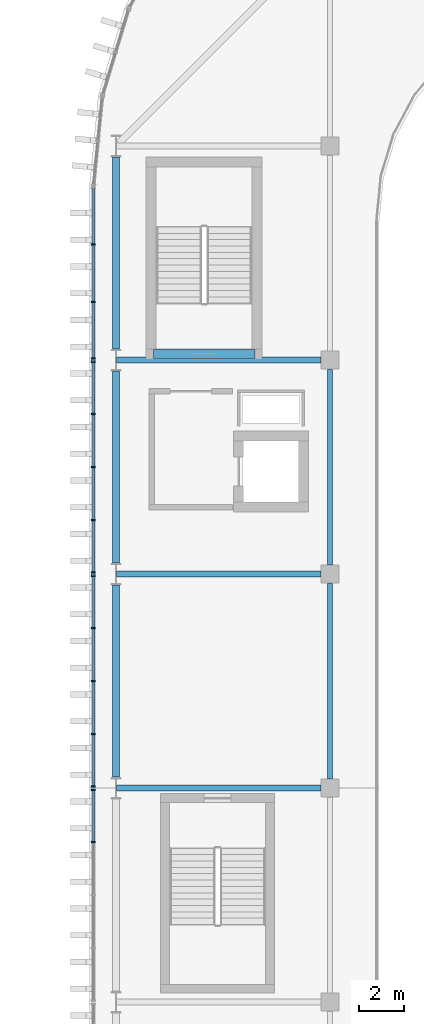
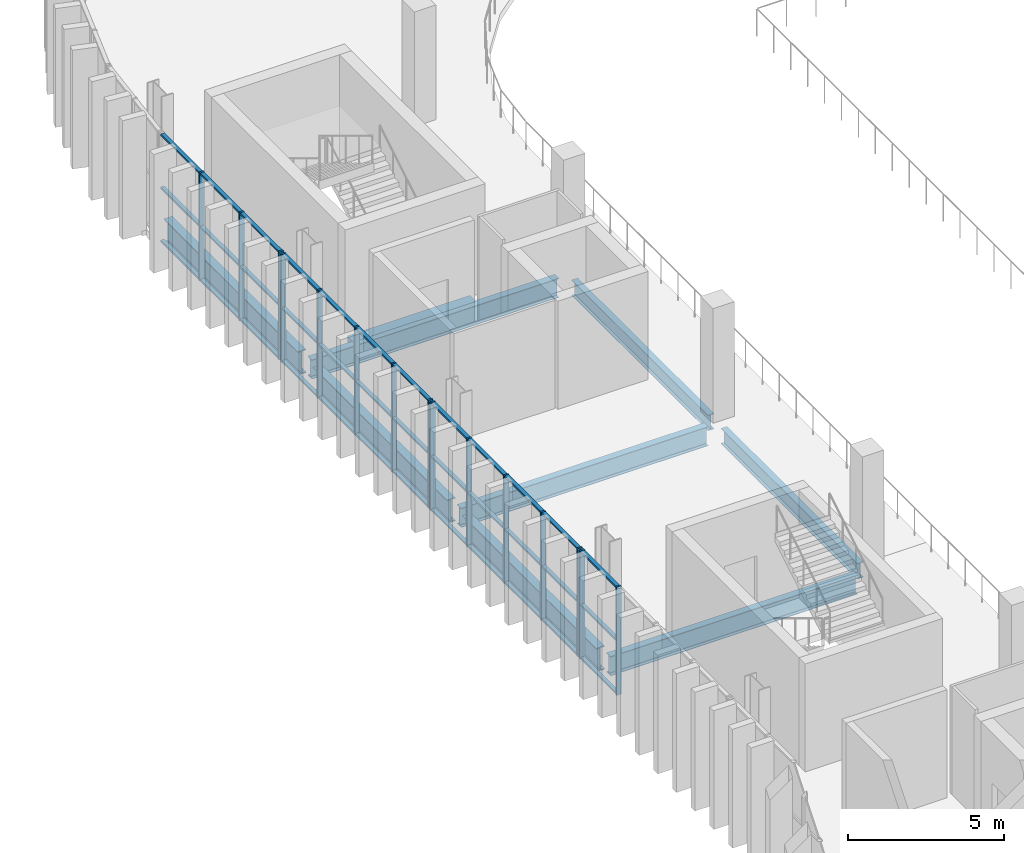
# One storey, part 11 of 75: 51 members, 9 beams, 4 elements without a shape of their own.
"""IFC4 building model written with IfcOpenShell, lengths in metres."""

from ifc_helpers import new_model, si_unit, direction, frame, origin, origin_2d, place, context, subcontext, project, spatial, rectangle, i_section, extrude, material, layer, layer_set, material_profile, profile_set, type_object, element, aggregate, save


model = new_model("IFC4")

# Units and contexts
model_context = context("Model", 3, precision=1e-05, world=origin(), true_north=direction((0.0, 1.0)))
body_context = subcontext(model_context, "Body", "Model", "MODEL_VIEW")
ifc_project = project(units=[si_unit("LENGTHUNIT", "METRE"), si_unit("AREAUNIT", "SQUARE_METRE"), si_unit("VOLUMEUNIT", "CUBIC_METRE"), si_unit("PLANEANGLEUNIT", "RADIAN"), si_unit("MASSUNIT", "GRAM", prefix="KILO")], contexts=[model_context])

# Site, building, storey
site_placement = place(None, origin())
site = spatial("IfcSite", under=ifc_project, at=site_placement, CompositionType="ELEMENT")
building_placement = place(site_placement, origin())
building = spatial("IfcBuilding", under=site, at=building_placement, Name="Caelomonte Colonnade Arena", CompositionType="ELEMENT")
storey_placement = place(building_placement, frame((0.0, 0.0, 14.10009765625)))
storey = spatial("IfcBuildingStorey", under=building, at=storey_placement, Name="L03", CompositionType="ELEMENT", Elevation=14.10009765625)

# Curtain wall, members
ifc_material_1 = material(Name="Bronze anodised aluminium and low-E glazing", Category="aluminium")
ifc_layer_1 = layer(ifc_material_1, 0.179931640625)
ifc_layer_set_1 = layer_set([ifc_layer_1], Name="Bronze anodised aluminium and low-E glazing")
curtain_wall_type_1 = type_object("IfcCurtainWallType", Name="ENV-CW-CW-L03-79-42", PredefinedType="USERDEFINED", material=ifc_layer_set_1)
curtain_wall_1_placement = place(storey_placement, origin())
curtain_wall_1 = element("IfcCurtainWall", 1, at=curtain_wall_1_placement, inside=storey, type_object=curtain_wall_type_1, Name="L03 unitized curtain wall CW-L03-0566-0904", ObjectType="UNITIZED CURTAIN WALL", PredefinedType="USERDEFINED")
ifc_material_2 = material(Name="Bronze anodised aluminium AA6063-T6", Category="aluminium")
ifc_material_profile_1 = material_profile(ifc_material_2, rectangle(XDim=0.070068359375, YDim=0.179931640625, at=origin_2d()), Name="CWM-70X180")
ifc_profile_set_1 = profile_set([ifc_material_profile_1], Name="Bronze anodised aluminium AA6063-T6")
member_type_1 = type_object("IfcMemberType", Name="ENV-CW-MULL1", PredefinedType="MULLION", material=ifc_profile_set_1)
member_1_placement = place(storey_placement, frame((56.580078125, 91.586669921875, 0.0), z_axis=(0.0, 0.0, 1.0), x_axis=(0.0, -1.0, 0.0)))
member_1 = element("IfcMember", 2, at=member_1_placement, type_object=member_type_1, Name="CW-L03-79-42 mullion 2", PredefinedType="MULLION", context=body_context, shape_type="SweptSolid", body=[
    extrude(rectangle(XDim=0.070068359375, YDim=0.179931640625, at=origin_2d()), origin(), (0.0, 0.0, 1.0), 4.239990234375),
])
member_2_placement = place(storey_placement, frame((56.580078125, 89.013427734375, 0.0), z_axis=(0.0, 0.0, 1.0), x_axis=(0.0, -1.0, 0.0)))
member_2 = element("IfcMember", 3, at=member_2_placement, type_object=member_type_1, Name="CW-L03-79-42 mullion 3", PredefinedType="MULLION", context=body_context, shape_type="SweptSolid", body=[
    extrude(rectangle(XDim=0.070068359375, YDim=0.179931640625, at=origin_2d()), origin(), (0.0, 0.0, 1.0), 4.239990234375),
])
member_3_placement = place(storey_placement, frame((56.580078125, 86.47509765625, 0.0), z_axis=(0.0, 0.0, 1.0), x_axis=(0.0, -1.0, 0.0)))
member_3 = element("IfcMember", 4, at=member_3_placement, type_object=member_type_1, Name="CW-L03-79-42 mullion 4", PredefinedType="MULLION", context=body_context, shape_type="SweptSolid", body=[
    extrude(rectangle(XDim=0.070068359375, YDim=0.179931640625, at=origin_2d()), origin(), (0.0, 0.0, 1.0), 4.239990234375),
])

ifc_layer_2 = layer(ifc_material_1, 0.179931640625)
ifc_layer_set_2 = layer_set([ifc_layer_2], Name="Bronze anodised aluminium and low-E glazing")
curtain_wall_type_2 = type_object("IfcCurtainWallType", Name="ENV-CW-CW-L03-96-42", PredefinedType="USERDEFINED", material=ifc_layer_set_2)
curtain_wall_2_placement = place(storey_placement, origin())
curtain_wall_2 = element("IfcCurtainWall", 5, at=curtain_wall_2_placement, inside=storey, type_object=curtain_wall_type_2, Name="L03 unitized curtain wall CW-L03-0566-0816", ObjectType="UNITIZED CURTAIN WALL", PredefinedType="USERDEFINED")
member_4_placement = place(storey_placement, frame((56.580078125, 86.324951171875, 0.0), z_axis=(0.0, 0.0, 1.0), x_axis=(0.0, -1.0, 0.0)))
member_4 = element("IfcMember", 6, at=member_4_placement, type_object=member_type_1, Name="CW-L03-96-42 mullion 1", PredefinedType="MULLION", context=body_context, shape_type="SweptSolid", body=[
    extrude(rectangle(XDim=0.070068359375, YDim=0.179931640625, at=origin_2d()), origin(), (0.0, 0.0, 1.0), 4.239990234375),
])
member_5_placement = place(storey_placement, frame((56.580078125, 83.97998046875, 0.0), z_axis=(0.0, 0.0, 1.0), x_axis=(0.0, -1.0, 0.0)))
member_5 = element("IfcMember", 7, at=member_5_placement, type_object=member_type_1, Name="CW-L03-96-42 mullion 2", PredefinedType="MULLION", context=body_context, shape_type="SweptSolid", body=[
    extrude(rectangle(XDim=0.070068359375, YDim=0.179931640625, at=origin_2d()), origin(), (0.0, 0.0, 1.0), 4.239990234375),
])
member_6_placement = place(storey_placement, frame((56.580078125, 81.60009765625, 0.0), z_axis=(0.0, 0.0, 1.0), x_axis=(0.0, -1.0, 0.0)))
member_6 = element("IfcMember", 8, at=member_6_placement, type_object=member_type_1, Name="CW-L03-96-42 mullion 3", PredefinedType="MULLION", context=body_context, shape_type="SweptSolid", body=[
    extrude(rectangle(XDim=0.070068359375, YDim=0.179931640625, at=origin_2d()), origin(), (0.0, 0.0, 1.0), 4.239990234375),
])
member_7_placement = place(storey_placement, frame((56.580078125, 79.219970703125, 0.0), z_axis=(0.0, 0.0, 1.0), x_axis=(0.0, -1.0, 0.0)))
member_7 = element("IfcMember", 9, at=member_7_placement, type_object=member_type_1, Name="CW-L03-96-42 mullion 4", PredefinedType="MULLION", context=body_context, shape_type="SweptSolid", body=[
    extrude(rectangle(XDim=0.070068359375, YDim=0.179931640625, at=origin_2d()), origin(), (0.0, 0.0, 1.0), 4.239990234375),
])
member_8_placement = place(storey_placement, frame((56.580078125, 76.875, 0.0), z_axis=(0.0, 0.0, 1.0), x_axis=(0.0, -1.0, 0.0)))
member_8 = element("IfcMember", 10, at=member_8_placement, type_object=member_type_1, Name="CW-L03-96-42 mullion 5", PredefinedType="MULLION", context=body_context, shape_type="SweptSolid", body=[
    extrude(rectangle(XDim=0.070068359375, YDim=0.179931640625, at=origin_2d()), origin(), (0.0, 0.0, 1.0), 4.239990234375),
])

curtain_wall_3_placement = place(storey_placement, origin())
curtain_wall_3 = element("IfcCurtainWall", 11, at=curtain_wall_3_placement, inside=storey, type_object=curtain_wall_type_2, Name="L03 unitized curtain wall CW-L03-0566-0720", ObjectType="UNITIZED CURTAIN WALL", PredefinedType="USERDEFINED")
member_9_placement = place(storey_placement, frame((56.580078125, 76.72509765625, 0.0), z_axis=(0.0, 0.0, 1.0), x_axis=(0.0, -1.0, 0.0)))
member_9 = element("IfcMember", 12, at=member_9_placement, type_object=member_type_1, Name="CW-L03-96-42 mullion 1", PredefinedType="MULLION", context=body_context, shape_type="SweptSolid", body=[
    extrude(rectangle(XDim=0.070068359375, YDim=0.179931640625, at=origin_2d()), origin(), (0.0, 0.0, 1.0), 4.239990234375),
])
member_10_placement = place(storey_placement, frame((56.580078125, 74.3798828125, 0.0), z_axis=(0.0, 0.0, 1.0), x_axis=(0.0, -1.0, 0.0)))
member_10 = element("IfcMember", 13, at=member_10_placement, type_object=member_type_1, Name="CW-L03-96-42 mullion 2", PredefinedType="MULLION", context=body_context, shape_type="SweptSolid", body=[
    extrude(rectangle(XDim=0.070068359375, YDim=0.179931640625, at=origin_2d()), origin(), (0.0, 0.0, 1.0), 4.239990234375),
])
member_11_placement = place(storey_placement, frame((56.580078125, 72.0, 0.0), z_axis=(0.0, 0.0, 1.0), x_axis=(0.0, -1.0, 0.0)))
member_11 = element("IfcMember", 14, at=member_11_placement, type_object=member_type_1, Name="CW-L03-96-42 mullion 3", PredefinedType="MULLION", context=body_context, shape_type="SweptSolid", body=[
    extrude(rectangle(XDim=0.070068359375, YDim=0.179931640625, at=origin_2d()), origin(), (0.0, 0.0, 1.0), 4.239990234375),
])
member_12_placement = place(storey_placement, frame((56.580078125, 69.6201171875, 0.0), z_axis=(0.0, 0.0, 1.0), x_axis=(0.0, -1.0, 0.0)))
member_12 = element("IfcMember", 15, at=member_12_placement, type_object=member_type_1, Name="CW-L03-96-42 mullion 4", PredefinedType="MULLION", context=body_context, shape_type="SweptSolid", body=[
    extrude(rectangle(XDim=0.070068359375, YDim=0.179931640625, at=origin_2d()), origin(), (0.0, 0.0, 1.0), 4.239990234375),
])
member_13_placement = place(storey_placement, frame((56.580078125, 67.27490234375, 0.0), z_axis=(0.0, 0.0, 1.0), x_axis=(0.0, -1.0, 0.0)))
member_13 = element("IfcMember", 16, at=member_13_placement, type_object=member_type_1, Name="CW-L03-96-42 mullion 5", PredefinedType="MULLION", context=body_context, shape_type="SweptSolid", body=[
    extrude(rectangle(XDim=0.070068359375, YDim=0.179931640625, at=origin_2d()), origin(), (0.0, 0.0, 1.0), 4.239990234375),
])

curtain_wall_4_placement = place(storey_placement, origin())
curtain_wall_4 = element("IfcCurtainWall", 17, at=curtain_wall_4_placement, inside=storey, type_object=curtain_wall_type_2, Name="L03 unitized curtain wall CW-L03-0566-0624", ObjectType="UNITIZED CURTAIN WALL", PredefinedType="USERDEFINED")
member_14_placement = place(storey_placement, frame((56.580078125, 67.125, 0.0), z_axis=(0.0, 0.0, 1.0), x_axis=(0.0, -1.0, 0.0)))
member_14 = element("IfcMember", 18, at=member_14_placement, type_object=member_type_1, Name="CW-L03-96-42 mullion 1", PredefinedType="MULLION", context=body_context, shape_type="SweptSolid", body=[
    extrude(rectangle(XDim=0.070068359375, YDim=0.179931640625, at=origin_2d()), origin(), (0.0, 0.0, 1.0), 4.239990234375),
])
member_15_placement = place(storey_placement, frame((56.580078125, 64.780029296875, 0.0), z_axis=(0.0, 0.0, 1.0), x_axis=(0.0, -1.0, 0.0)))
member_15 = element("IfcMember", 19, at=member_15_placement, type_object=member_type_1, Name="CW-L03-96-42 mullion 2", PredefinedType="MULLION", context=body_context, shape_type="SweptSolid", body=[
    extrude(rectangle(XDim=0.070068359375, YDim=0.179931640625, at=origin_2d()), origin(), (0.0, 0.0, 1.0), 4.239990234375),
])

# Member
ifc_material_profile_2 = material_profile(ifc_material_2, rectangle(XDim=0.070068359375, YDim=0.139892578125, at=origin_2d()), Name="CWT-70X140")
ifc_profile_set_2 = profile_set([ifc_material_profile_2], Name="Bronze anodised aluminium AA6063-T6")
member_type_2 = type_object("IfcMemberType", Name="ENV-CW-TRAN1", PredefinedType="USERDEFINED", material=ifc_profile_set_2)
member_16_placement = place(storey_placement, frame((56.580078125, 94.090087890625, 0.034912109375), z_axis=(0.0, -1.0, 0.0), x_axis=(0.0, 0.0, 1.0)))
member_16 = element("IfcMember", 20, at=member_16_placement, type_object=member_type_2, Name="CW-L03-79-42 transom 1.1", ObjectType="TRANSOM", PredefinedType="USERDEFINED", context=body_context, shape_type="SweptSolid", body=[
    extrude(rectangle(XDim=0.070068359375, YDim=0.139892578125, at=origin_2d()), origin(), (0.0, 0.0, 1.0), 2.468505859375),
])

member_17_placement = place(storey_placement, frame((56.580078125, 94.090087890625, 2.119873046875), z_axis=(0.0, -1.0, 0.0), x_axis=(0.0, 0.0, 1.0)))
member_17 = element("IfcMember", 21, at=member_17_placement, type_object=member_type_2, Name="CW-L03-79-42 transom 1.2", ObjectType="TRANSOM", PredefinedType="USERDEFINED", context=body_context, shape_type="SweptSolid", body=[
    extrude(rectangle(XDim=0.070068359375, YDim=0.139892578125, at=origin_2d()), origin(), (0.0, 0.0, 1.0), 2.468505859375),
])

member_18_placement = place(storey_placement, frame((56.580078125, 94.090087890625, 4.204833984375), z_axis=(0.0, -1.0, 0.0), x_axis=(0.0, 0.0, 1.0)))
member_18 = element("IfcMember", 22, at=member_18_placement, type_object=member_type_2, Name="CW-L03-79-42 transom 1.3", ObjectType="TRANSOM", PredefinedType="USERDEFINED", context=body_context, shape_type="SweptSolid", body=[
    extrude(rectangle(XDim=0.070068359375, YDim=0.139892578125, at=origin_2d()), origin(), (0.0, 0.0, 1.0), 2.468505859375),
])

member_19_placement = place(storey_placement, frame((56.580078125, 91.5517578125, 0.034912109375), z_axis=(0.0, -1.0, 0.0), x_axis=(0.0, 0.0, 1.0)))
member_19 = element("IfcMember", 23, at=member_19_placement, type_object=member_type_2, Name="CW-L03-79-42 transom 2.1", ObjectType="TRANSOM", PredefinedType="USERDEFINED", context=body_context, shape_type="SweptSolid", body=[
    extrude(rectangle(XDim=0.070068359375, YDim=0.139892578125, at=origin_2d()), origin(), (0.0, 0.0, 1.0), 2.50341796875),
])

member_20_placement = place(storey_placement, frame((56.580078125, 91.5517578125, 2.119873046875), z_axis=(0.0, -1.0, 0.0), x_axis=(0.0, 0.0, 1.0)))
member_20 = element("IfcMember", 24, at=member_20_placement, type_object=member_type_2, Name="CW-L03-79-42 transom 2.2", ObjectType="TRANSOM", PredefinedType="USERDEFINED", context=body_context, shape_type="SweptSolid", body=[
    extrude(rectangle(XDim=0.070068359375, YDim=0.139892578125, at=origin_2d()), origin(), (0.0, 0.0, 1.0), 2.50341796875),
])

member_21_placement = place(storey_placement, frame((56.580078125, 91.5517578125, 4.204833984375), z_axis=(0.0, -1.0, 0.0), x_axis=(0.0, 0.0, 1.0)))
member_21 = element("IfcMember", 25, at=member_21_placement, type_object=member_type_2, Name="CW-L03-79-42 transom 2.3", ObjectType="TRANSOM", PredefinedType="USERDEFINED", context=body_context, shape_type="SweptSolid", body=[
    extrude(rectangle(XDim=0.070068359375, YDim=0.139892578125, at=origin_2d()), origin(), (0.0, 0.0, 1.0), 2.50341796875),
])

member_22_placement = place(storey_placement, frame((56.580078125, 88.978271484375, 0.034912109375), z_axis=(0.0, -1.0, 0.0), x_axis=(0.0, 0.0, 1.0)))
member_22 = element("IfcMember", 26, at=member_22_placement, type_object=member_type_2, Name="CW-L03-79-42 transom 3.1", ObjectType="TRANSOM", PredefinedType="USERDEFINED", context=body_context, shape_type="SweptSolid", body=[
    extrude(rectangle(XDim=0.070068359375, YDim=0.139892578125, at=origin_2d()), origin(), (0.0, 0.0, 1.0), 2.46826171875),
])

member_23_placement = place(storey_placement, frame((56.580078125, 88.978271484375, 2.119873046875), z_axis=(0.0, -1.0, 0.0), x_axis=(0.0, 0.0, 1.0)))
member_23 = element("IfcMember", 27, at=member_23_placement, type_object=member_type_2, Name="CW-L03-79-42 transom 3.2", ObjectType="TRANSOM", PredefinedType="USERDEFINED", context=body_context, shape_type="SweptSolid", body=[
    extrude(rectangle(XDim=0.070068359375, YDim=0.139892578125, at=origin_2d()), origin(), (0.0, 0.0, 1.0), 2.46826171875),
])

member_24_placement = place(storey_placement, frame((56.580078125, 88.978271484375, 4.204833984375), z_axis=(0.0, -1.0, 0.0), x_axis=(0.0, 0.0, 1.0)))
member_24 = element("IfcMember", 28, at=member_24_placement, type_object=member_type_2, Name="CW-L03-79-42 transom 3.3", ObjectType="TRANSOM", PredefinedType="USERDEFINED", context=body_context, shape_type="SweptSolid", body=[
    extrude(rectangle(XDim=0.070068359375, YDim=0.139892578125, at=origin_2d()), origin(), (0.0, 0.0, 1.0), 2.46826171875),
])

aggregate(curtain_wall_1, [member_1, member_2, member_3, member_16, member_17, member_18, member_19, member_20, member_21, member_22, member_23, member_24])

member_25_placement = place(storey_placement, frame((56.580078125, 86.2900390625, 0.034912109375), z_axis=(0.0, -1.0, 0.0), x_axis=(0.0, 0.0, 1.0)))
member_25 = element("IfcMember", 29, at=member_25_placement, type_object=member_type_2, Name="CW-L03-96-42 transom 1.1", ObjectType="TRANSOM", PredefinedType="USERDEFINED", context=body_context, shape_type="SweptSolid", body=[
    extrude(rectangle(XDim=0.070068359375, YDim=0.139892578125, at=origin_2d()), origin(), (0.0, 0.0, 1.0), 2.275146484375),
])

member_26_placement = place(storey_placement, frame((56.580078125, 86.2900390625, 2.119873046875), z_axis=(0.0, -1.0, 0.0), x_axis=(0.0, 0.0, 1.0)))
member_26 = element("IfcMember", 30, at=member_26_placement, type_object=member_type_2, Name="CW-L03-96-42 transom 1.2", ObjectType="TRANSOM", PredefinedType="USERDEFINED", context=body_context, shape_type="SweptSolid", body=[
    extrude(rectangle(XDim=0.070068359375, YDim=0.139892578125, at=origin_2d()), origin(), (0.0, 0.0, 1.0), 2.275146484375),
])

member_27_placement = place(storey_placement, frame((56.580078125, 86.2900390625, 4.204833984375), z_axis=(0.0, -1.0, 0.0), x_axis=(0.0, 0.0, 1.0)))
member_27 = element("IfcMember", 31, at=member_27_placement, type_object=member_type_2, Name="CW-L03-96-42 transom 1.3", ObjectType="TRANSOM", PredefinedType="USERDEFINED", context=body_context, shape_type="SweptSolid", body=[
    extrude(rectangle(XDim=0.070068359375, YDim=0.139892578125, at=origin_2d()), origin(), (0.0, 0.0, 1.0), 2.275146484375),
])

member_28_placement = place(storey_placement, frame((56.580078125, 83.945068359375, 0.034912109375), z_axis=(0.0, -1.0, 0.0), x_axis=(0.0, 0.0, 1.0)))
member_28 = element("IfcMember", 32, at=member_28_placement, type_object=member_type_2, Name="CW-L03-96-42 transom 2.1", ObjectType="TRANSOM", PredefinedType="USERDEFINED", context=body_context, shape_type="SweptSolid", body=[
    extrude(rectangle(XDim=0.070068359375, YDim=0.139892578125, at=origin_2d()), origin(), (0.0, 0.0, 1.0), 2.31005859375),
])

member_29_placement = place(storey_placement, frame((56.580078125, 83.945068359375, 2.119873046875), z_axis=(0.0, -1.0, 0.0), x_axis=(0.0, 0.0, 1.0)))
member_29 = element("IfcMember", 33, at=member_29_placement, type_object=member_type_2, Name="CW-L03-96-42 transom 2.2", ObjectType="TRANSOM", PredefinedType="USERDEFINED", context=body_context, shape_type="SweptSolid", body=[
    extrude(rectangle(XDim=0.070068359375, YDim=0.139892578125, at=origin_2d()), origin(), (0.0, 0.0, 1.0), 2.31005859375),
])

member_30_placement = place(storey_placement, frame((56.580078125, 83.945068359375, 4.204833984375), z_axis=(0.0, -1.0, 0.0), x_axis=(0.0, 0.0, 1.0)))
member_30 = element("IfcMember", 34, at=member_30_placement, type_object=member_type_2, Name="CW-L03-96-42 transom 2.3", ObjectType="TRANSOM", PredefinedType="USERDEFINED", context=body_context, shape_type="SweptSolid", body=[
    extrude(rectangle(XDim=0.070068359375, YDim=0.139892578125, at=origin_2d()), origin(), (0.0, 0.0, 1.0), 2.31005859375),
])

member_31_placement = place(storey_placement, frame((56.580078125, 81.56494140625, 0.034912109375), z_axis=(0.0, -1.0, 0.0), x_axis=(0.0, 0.0, 1.0)))
member_31 = element("IfcMember", 35, at=member_31_placement, type_object=member_type_2, Name="CW-L03-96-42 transom 3.1", ObjectType="TRANSOM", PredefinedType="USERDEFINED", context=body_context, shape_type="SweptSolid", body=[
    extrude(rectangle(XDim=0.070068359375, YDim=0.139892578125, at=origin_2d()), origin(), (0.0, 0.0, 1.0), 2.31005859375),
])

member_32_placement = place(storey_placement, frame((56.580078125, 81.56494140625, 2.119873046875), z_axis=(0.0, -1.0, 0.0), x_axis=(0.0, 0.0, 1.0)))
member_32 = element("IfcMember", 36, at=member_32_placement, type_object=member_type_2, Name="CW-L03-96-42 transom 3.2", ObjectType="TRANSOM", PredefinedType="USERDEFINED", context=body_context, shape_type="SweptSolid", body=[
    extrude(rectangle(XDim=0.070068359375, YDim=0.139892578125, at=origin_2d()), origin(), (0.0, 0.0, 1.0), 2.31005859375),
])

member_33_placement = place(storey_placement, frame((56.580078125, 81.56494140625, 4.204833984375), z_axis=(0.0, -1.0, 0.0), x_axis=(0.0, 0.0, 1.0)))
member_33 = element("IfcMember", 37, at=member_33_placement, type_object=member_type_2, Name="CW-L03-96-42 transom 3.3", ObjectType="TRANSOM", PredefinedType="USERDEFINED", context=body_context, shape_type="SweptSolid", body=[
    extrude(rectangle(XDim=0.070068359375, YDim=0.139892578125, at=origin_2d()), origin(), (0.0, 0.0, 1.0), 2.31005859375),
])

member_34_placement = place(storey_placement, frame((56.580078125, 79.18505859375, 0.034912109375), z_axis=(0.0, -1.0, 0.0), x_axis=(0.0, 0.0, 1.0)))
member_34 = element("IfcMember", 38, at=member_34_placement, type_object=member_type_2, Name="CW-L03-96-42 transom 4.1", ObjectType="TRANSOM", PredefinedType="USERDEFINED", context=body_context, shape_type="SweptSolid", body=[
    extrude(rectangle(XDim=0.070068359375, YDim=0.139892578125, at=origin_2d()), origin(), (0.0, 0.0, 1.0), 2.275146484375),
])

member_35_placement = place(storey_placement, frame((56.580078125, 79.18505859375, 2.119873046875), z_axis=(0.0, -1.0, 0.0), x_axis=(0.0, 0.0, 1.0)))
member_35 = element("IfcMember", 39, at=member_35_placement, type_object=member_type_2, Name="CW-L03-96-42 transom 4.2", ObjectType="TRANSOM", PredefinedType="USERDEFINED", context=body_context, shape_type="SweptSolid", body=[
    extrude(rectangle(XDim=0.070068359375, YDim=0.139892578125, at=origin_2d()), origin(), (0.0, 0.0, 1.0), 2.275146484375),
])

member_36_placement = place(storey_placement, frame((56.580078125, 79.18505859375, 4.204833984375), z_axis=(0.0, -1.0, 0.0), x_axis=(0.0, 0.0, 1.0)))
member_36 = element("IfcMember", 40, at=member_36_placement, type_object=member_type_2, Name="CW-L03-96-42 transom 4.3", ObjectType="TRANSOM", PredefinedType="USERDEFINED", context=body_context, shape_type="SweptSolid", body=[
    extrude(rectangle(XDim=0.070068359375, YDim=0.139892578125, at=origin_2d()), origin(), (0.0, 0.0, 1.0), 2.275146484375),
])

aggregate(curtain_wall_2, [member_4, member_5, member_6, member_7, member_8, member_25, member_26, member_27, member_28, member_29, member_30, member_31, member_32, member_33, member_34, member_35, member_36])

member_37_placement = place(storey_placement, frame((56.580078125, 76.68994140625, 0.034912109375), z_axis=(0.0, -1.0, 0.0), x_axis=(0.0, 0.0, 1.0)))
member_37 = element("IfcMember", 41, at=member_37_placement, type_object=member_type_2, Name="CW-L03-96-42 transom 1.1", ObjectType="TRANSOM", PredefinedType="USERDEFINED", context=body_context, shape_type="SweptSolid", body=[
    extrude(rectangle(XDim=0.070068359375, YDim=0.139892578125, at=origin_2d()), origin(), (0.0, 0.0, 1.0), 2.27490234375),
])

member_38_placement = place(storey_placement, frame((56.580078125, 76.68994140625, 2.119873046875), z_axis=(0.0, -1.0, 0.0), x_axis=(0.0, 0.0, 1.0)))
member_38 = element("IfcMember", 42, at=member_38_placement, type_object=member_type_2, Name="CW-L03-96-42 transom 1.2", ObjectType="TRANSOM", PredefinedType="USERDEFINED", context=body_context, shape_type="SweptSolid", body=[
    extrude(rectangle(XDim=0.070068359375, YDim=0.139892578125, at=origin_2d()), origin(), (0.0, 0.0, 1.0), 2.27490234375),
])

member_39_placement = place(storey_placement, frame((56.580078125, 76.68994140625, 4.204833984375), z_axis=(0.0, -1.0, 0.0), x_axis=(0.0, 0.0, 1.0)))
member_39 = element("IfcMember", 43, at=member_39_placement, type_object=member_type_2, Name="CW-L03-96-42 transom 1.3", ObjectType="TRANSOM", PredefinedType="USERDEFINED", context=body_context, shape_type="SweptSolid", body=[
    extrude(rectangle(XDim=0.070068359375, YDim=0.139892578125, at=origin_2d()), origin(), (0.0, 0.0, 1.0), 2.27490234375),
])

member_40_placement = place(storey_placement, frame((56.580078125, 74.344970703125, 0.034912109375), z_axis=(0.0, -1.0, 0.0), x_axis=(0.0, 0.0, 1.0)))
member_40 = element("IfcMember", 44, at=member_40_placement, type_object=member_type_2, Name="CW-L03-96-42 transom 2.1", ObjectType="TRANSOM", PredefinedType="USERDEFINED", context=body_context, shape_type="SweptSolid", body=[
    extrude(rectangle(XDim=0.070068359375, YDim=0.139892578125, at=origin_2d()), origin(), (0.0, 0.0, 1.0), 2.31005859375),
])

member_41_placement = place(storey_placement, frame((56.580078125, 74.344970703125, 2.119873046875), z_axis=(0.0, -1.0, 0.0), x_axis=(0.0, 0.0, 1.0)))
member_41 = element("IfcMember", 45, at=member_41_placement, type_object=member_type_2, Name="CW-L03-96-42 transom 2.2", ObjectType="TRANSOM", PredefinedType="USERDEFINED", context=body_context, shape_type="SweptSolid", body=[
    extrude(rectangle(XDim=0.070068359375, YDim=0.139892578125, at=origin_2d()), origin(), (0.0, 0.0, 1.0), 2.31005859375),
])

member_42_placement = place(storey_placement, frame((56.580078125, 74.344970703125, 4.204833984375), z_axis=(0.0, -1.0, 0.0), x_axis=(0.0, 0.0, 1.0)))
member_42 = element("IfcMember", 46, at=member_42_placement, type_object=member_type_2, Name="CW-L03-96-42 transom 2.3", ObjectType="TRANSOM", PredefinedType="USERDEFINED", context=body_context, shape_type="SweptSolid", body=[
    extrude(rectangle(XDim=0.070068359375, YDim=0.139892578125, at=origin_2d()), origin(), (0.0, 0.0, 1.0), 2.31005859375),
])

member_43_placement = place(storey_placement, frame((56.580078125, 71.965087890625, 0.034912109375), z_axis=(0.0, -1.0, 0.0), x_axis=(0.0, 0.0, 1.0)))
member_43 = element("IfcMember", 47, at=member_43_placement, type_object=member_type_2, Name="CW-L03-96-42 transom 3.1", ObjectType="TRANSOM", PredefinedType="USERDEFINED", context=body_context, shape_type="SweptSolid", body=[
    extrude(rectangle(XDim=0.070068359375, YDim=0.139892578125, at=origin_2d()), origin(), (0.0, 0.0, 1.0), 2.31005859375),
])

member_44_placement = place(storey_placement, frame((56.580078125, 71.965087890625, 2.119873046875), z_axis=(0.0, -1.0, 0.0), x_axis=(0.0, 0.0, 1.0)))
member_44 = element("IfcMember", 48, at=member_44_placement, type_object=member_type_2, Name="CW-L03-96-42 transom 3.2", ObjectType="TRANSOM", PredefinedType="USERDEFINED", context=body_context, shape_type="SweptSolid", body=[
    extrude(rectangle(XDim=0.070068359375, YDim=0.139892578125, at=origin_2d()), origin(), (0.0, 0.0, 1.0), 2.31005859375),
])

member_45_placement = place(storey_placement, frame((56.580078125, 71.965087890625, 4.204833984375), z_axis=(0.0, -1.0, 0.0), x_axis=(0.0, 0.0, 1.0)))
member_45 = element("IfcMember", 49, at=member_45_placement, type_object=member_type_2, Name="CW-L03-96-42 transom 3.3", ObjectType="TRANSOM", PredefinedType="USERDEFINED", context=body_context, shape_type="SweptSolid", body=[
    extrude(rectangle(XDim=0.070068359375, YDim=0.139892578125, at=origin_2d()), origin(), (0.0, 0.0, 1.0), 2.31005859375),
])

member_46_placement = place(storey_placement, frame((56.580078125, 69.5849609375, 0.034912109375), z_axis=(0.0, -1.0, 0.0), x_axis=(0.0, 0.0, 1.0)))
member_46 = element("IfcMember", 50, at=member_46_placement, type_object=member_type_2, Name="CW-L03-96-42 transom 4.1", ObjectType="TRANSOM", PredefinedType="USERDEFINED", context=body_context, shape_type="SweptSolid", body=[
    extrude(rectangle(XDim=0.070068359375, YDim=0.139892578125, at=origin_2d()), origin(), (0.0, 0.0, 1.0), 2.27490234375),
])

member_47_placement = place(storey_placement, frame((56.580078125, 69.5849609375, 2.119873046875), z_axis=(0.0, -1.0, 0.0), x_axis=(0.0, 0.0, 1.0)))
member_47 = element("IfcMember", 51, at=member_47_placement, type_object=member_type_2, Name="CW-L03-96-42 transom 4.2", ObjectType="TRANSOM", PredefinedType="USERDEFINED", context=body_context, shape_type="SweptSolid", body=[
    extrude(rectangle(XDim=0.070068359375, YDim=0.139892578125, at=origin_2d()), origin(), (0.0, 0.0, 1.0), 2.27490234375),
])

member_48_placement = place(storey_placement, frame((56.580078125, 69.5849609375, 4.204833984375), z_axis=(0.0, -1.0, 0.0), x_axis=(0.0, 0.0, 1.0)))
member_48 = element("IfcMember", 52, at=member_48_placement, type_object=member_type_2, Name="CW-L03-96-42 transom 4.3", ObjectType="TRANSOM", PredefinedType="USERDEFINED", context=body_context, shape_type="SweptSolid", body=[
    extrude(rectangle(XDim=0.070068359375, YDim=0.139892578125, at=origin_2d()), origin(), (0.0, 0.0, 1.0), 2.27490234375),
])

aggregate(curtain_wall_3, [member_9, member_10, member_11, member_12, member_13, member_37, member_38, member_39, member_40, member_41, member_42, member_43, member_44, member_45, member_46, member_47, member_48])

member_49_placement = place(storey_placement, frame((56.580078125, 67.090087890625, 0.034912109375), z_axis=(0.0, -1.0, 0.0), x_axis=(0.0, 0.0, 1.0)))
member_49 = element("IfcMember", 53, at=member_49_placement, type_object=member_type_2, Name="CW-L03-96-42 transom 1.1", ObjectType="TRANSOM", PredefinedType="USERDEFINED", context=body_context, shape_type="SweptSolid", body=[
    extrude(rectangle(XDim=0.070068359375, YDim=0.139892578125, at=origin_2d()), origin(), (0.0, 0.0, 1.0), 2.275146484375),
])

member_50_placement = place(storey_placement, frame((56.580078125, 67.090087890625, 2.119873046875), z_axis=(0.0, -1.0, 0.0), x_axis=(0.0, 0.0, 1.0)))
member_50 = element("IfcMember", 54, at=member_50_placement, type_object=member_type_2, Name="CW-L03-96-42 transom 1.2", ObjectType="TRANSOM", PredefinedType="USERDEFINED", context=body_context, shape_type="SweptSolid", body=[
    extrude(rectangle(XDim=0.070068359375, YDim=0.139892578125, at=origin_2d()), origin(), (0.0, 0.0, 1.0), 2.275146484375),
])

member_51_placement = place(storey_placement, frame((56.580078125, 67.090087890625, 4.204833984375), z_axis=(0.0, -1.0, 0.0), x_axis=(0.0, 0.0, 1.0)))
member_51 = element("IfcMember", 55, at=member_51_placement, type_object=member_type_2, Name="CW-L03-96-42 transom 1.3", ObjectType="TRANSOM", PredefinedType="USERDEFINED", context=body_context, shape_type="SweptSolid", body=[
    extrude(rectangle(XDim=0.070068359375, YDim=0.139892578125, at=origin_2d()), origin(), (0.0, 0.0, 1.0), 2.275146484375),
])

aggregate(curtain_wall_4, [member_14, member_15, member_49, member_50, member_51])

# Beams
ifc_material_3 = material(Name="Wide-flange steel ASTM A992 Grade 50", Category="steel")
ifc_material_profile_3 = material_profile(ifc_material_3, i_section(OverallWidth=0.307861328125, OverallDepth=0.927001953125, WebThickness=0.019287109375, FlangeThickness=0.031982421875, FilletRadius=0.020263671875, at=origin_2d()), Name="W36X194")
ifc_profile_set_3 = profile_set([ifc_material_profile_3], Name="Wide-flange steel ASTM A992 Grade 50")
beam_type_1 = type_object("IfcBeamType", Name="STR-BM-EAVES2", PredefinedType="SPANDREL", material=ifc_profile_set_3)
beam_1_placement = place(storey_placement, frame((57.60009765625, 67.697509765625, -0.74365234375), z_axis=(0.0, 1.0, 0.0), x_axis=(-1.0, 0.0, 0.0)))
element("IfcBeam", 56, at=beam_1_placement, inside=storey, type_object=beam_type_1, Name="L03 girder BMY-L03-0576-0672", PredefinedType="SPANDREL", context=body_context, shape_type="SweptSolid", body=[
    extrude(i_section(OverallWidth=0.307861328125, OverallDepth=0.927001953125, WebThickness=0.019287109375, FlangeThickness=0.031982421875, FilletRadius=0.020263671875, at=origin_2d()), origin(), (0.0, 0.0, 1.0), 8.60498046875),
])
beam_2_placement = place(storey_placement, frame((57.60009765625, 77.29736328125, -0.74365234375), z_axis=(0.0, 1.0, 0.0), x_axis=(-1.0, 0.0, 0.0)))
element("IfcBeam", 57, at=beam_2_placement, inside=storey, type_object=beam_type_1, Name="L03 girder BMY-L03-0576-0768", PredefinedType="SPANDREL", context=body_context, shape_type="SweptSolid", body=[
    extrude(i_section(OverallWidth=0.307861328125, OverallDepth=0.927001953125, WebThickness=0.019287109375, FlangeThickness=0.031982421875, FilletRadius=0.020263671875, at=origin_2d()), origin(), (0.0, 0.0, 1.0), 8.605224609375),
])
beam_3_placement = place(storey_placement, frame((57.60009765625, 86.8974609375, -0.74365234375), z_axis=(0.0, 1.0, 0.0), x_axis=(-1.0, 0.0, 0.0)))
element("IfcBeam", 58, at=beam_3_placement, inside=storey, type_object=beam_type_1, Name="L03 girder BMY-L03-0576-0864", PredefinedType="SPANDREL", context=body_context, shape_type="SweptSolid", body=[
    extrude(i_section(OverallWidth=0.307861328125, OverallDepth=0.927001953125, WebThickness=0.019287109375, FlangeThickness=0.031982421875, FilletRadius=0.020263671875, at=origin_2d()), origin(), (0.0, 0.0, 1.0), 8.60498046875),
])
ifc_material_profile_4 = material_profile(ifc_material_3, i_section(OverallWidth=0.228271484375, OverallDepth=0.607177734375, WebThickness=0.01123046875, FlangeThickness=0.017333984375, FilletRadius=0.0126953125, at=origin_2d()), Name="W24X76")
ifc_profile_set_4 = profile_set([ifc_material_profile_4], Name="Wide-flange steel ASTM A992 Grade 50")
beam_type_2 = type_object("IfcBeamType", Name="STR-BM-GIRD24", PredefinedType="BEAM", material=ifc_profile_set_4)
beam_4_placement = place(storey_placement, frame((67.199951171875, 67.616943359375, -0.58349609375), z_axis=(0.0, 1.0, 0.0), x_axis=(-1.0, 0.0, 0.0)))
element("IfcBeam", 59, at=beam_4_placement, inside=storey, type_object=beam_type_2, Name="L03 girder BMY-L03-0672-0672", PredefinedType="BEAM", context=body_context, shape_type="SweptSolid", body=[
    extrude(i_section(OverallWidth=0.228271484375, OverallDepth=0.607177734375, WebThickness=0.01123046875, FlangeThickness=0.017333984375, FilletRadius=0.0126953125, at=origin_2d()), origin(), (0.0, 0.0, 1.0), 8.76611328125),
])
beam_5_placement = place(storey_placement, frame((67.199951171875, 77.217041015625, -0.58349609375), z_axis=(0.0, 1.0, 0.0), x_axis=(-1.0, 0.0, 0.0)))
element("IfcBeam", 60, at=beam_5_placement, inside=storey, type_object=beam_type_2, Name="L03 girder BMY-L03-0672-0768", PredefinedType="BEAM", context=body_context, shape_type="SweptSolid", body=[
    extrude(i_section(OverallWidth=0.228271484375, OverallDepth=0.607177734375, WebThickness=0.01123046875, FlangeThickness=0.017333984375, FilletRadius=0.0126953125, at=origin_2d()), origin(), (0.0, 0.0, 1.0), 8.765869140625),
])
ifc_material_profile_5 = material_profile(ifc_material_3, i_section(OverallWidth=0.265380859375, OverallDepth=0.75439453125, WebThickness=0.01318359375, FlangeThickness=0.01708984375, FilletRadius=0.0166015625, at=origin_2d()), Name="W30X99")
ifc_profile_set_5 = profile_set([ifc_material_profile_5], Name="Wide-flange steel ASTM A992 Grade 50")
beam_type_3 = type_object("IfcBeamType", Name="STR-BM-GIRD30B", PredefinedType="BEAM", material=ifc_profile_set_5)
for number, where, z_axis, x_axis, name in (
    (61, (57.61181640625, 67.199951171875, -0.6572265625), (1.0, 0.0, 0.0), (0.0, 1.0, 0.0), "L03 girder BMX-L03-0576-0672"),
    (62, (57.61181640625, 76.800048828125, -0.6572265625), (1.0, 0.0, 0.0), (0.0, 1.0, 0.0), "L03 girder BMX-L03-0576-0768"),
    (63, (57.61181640625, 86.39990234375, -0.6572265625), (1.0, 0.0, 0.0), (0.0, 1.0, 0.0), "L03 girder BMX-L03-0576-0864"),
):
    element("IfcBeam", number, at=place(storey_placement, frame(where, z_axis=z_axis, x_axis=x_axis)), inside=storey, type_object=beam_type_3, Name=name, PredefinedType="BEAM", context=body_context, shape_type="SweptSolid", body=[
        extrude(i_section(OverallWidth=0.265380859375, OverallDepth=0.75439453125, WebThickness=0.01318359375, FlangeThickness=0.01708984375, FilletRadius=0.0166015625, at=origin_2d()), origin(), (0.0, 0.0, 1.0), 9.171142578125),
    ])
ifc_material_4 = material(Name="Concrete C40/50", Category="concrete")
ifc_material_profile_6 = material_profile(ifc_material_4, rectangle(XDim=0.39990234375, YDim=0.64990234375, at=origin_2d()), Name="RC400X650")
ifc_profile_set_6 = profile_set([ifc_material_profile_6], Name="Concrete C40/50")
beam_type_4 = type_object("IfcBeamType", Name="STR-BM-LINT40", PredefinedType="LINTEL", material=ifc_profile_set_6)
beam_6_placement = place(storey_placement, frame((59.27490234375, 86.675048828125, -0.60498046875), z_axis=(1.0, 0.0, 0.0), x_axis=(0.0, 1.0, 0.0)))
element("IfcBeam", 64, at=beam_6_placement, inside=storey, type_object=beam_type_4, Name="Core C4 L03 coupling lintel beam", PredefinedType="LINTEL", context=body_context, shape_type="SweptSolid", body=[
    extrude(rectangle(XDim=0.39990234375, YDim=0.64990234375, at=origin_2d()), origin(), (0.0, 0.0, 1.0), 4.550048828125),
])

save(model, "model.ifc")
